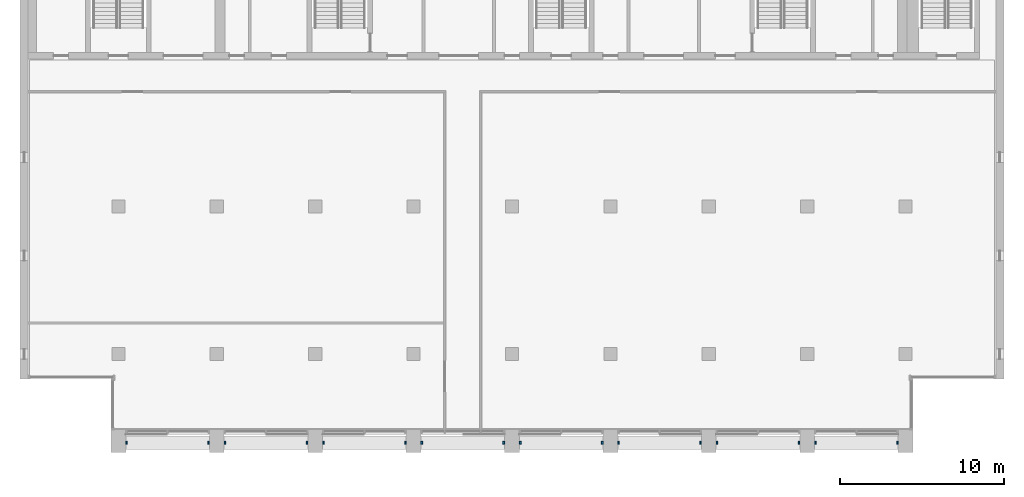
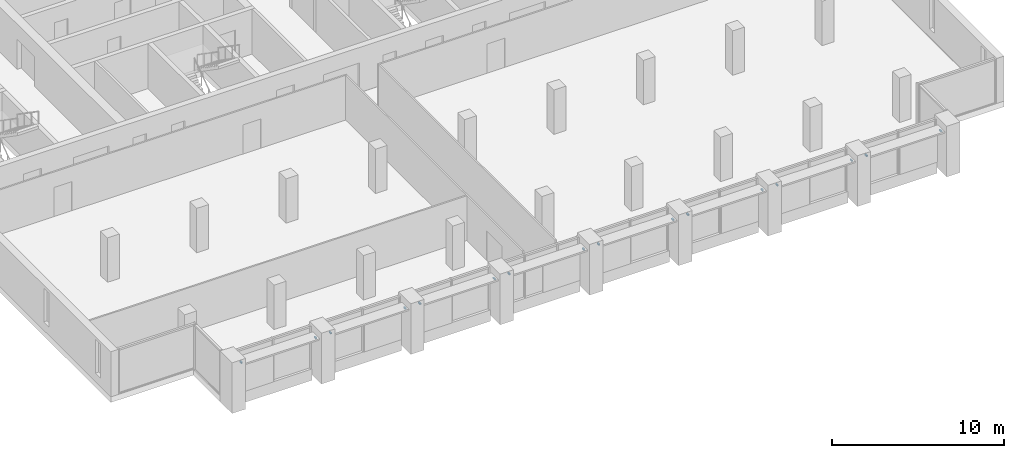
# One storey, part 13 of 14: 16 discrete accessories.
"""IFC4 building model written with IfcOpenShell, lengths in metres."""

from ifc_helpers import new_model, si_unit, direction, frame, origin, origin_2d, place, context, subcontext, project, spatial, rectangle, extrude, element, save


model = new_model("IFC4")

# Units and contexts
model_context = context("Model", 3, precision=1e-05, world=origin(), true_north=direction((0.0, 1.0)))
body_context = subcontext(model_context, "Body", "Model", "MODEL_VIEW")
ifc_project = project(units=[si_unit("LENGTHUNIT", "METRE"), si_unit("AREAUNIT", "SQUARE_METRE"), si_unit("VOLUMEUNIT", "CUBIC_METRE"), si_unit("PLANEANGLEUNIT", "RADIAN"), si_unit("MASSUNIT", "GRAM", prefix="KILO")], contexts=[model_context])

# Site, building, storey
site_placement = place(None, origin())
site = spatial("IfcSite", under=ifc_project, at=site_placement, CompositionType="ELEMENT")
building_placement = place(site_placement, origin())
building = spatial("IfcBuilding", under=site, at=building_placement, Name="Calvaro Tower", CompositionType="ELEMENT")
storey_placement = place(building_placement, frame((0.0, 0.0, 262.14990234375)))
storey = spatial("IfcBuildingStorey", under=building, at=storey_placement, Name="L66", CompositionType="ELEMENT", Elevation=262.14990234375)

# Discrete accessories
for number, where, z_axis, x_axis, name in (
    (1, (12.5, 4.60009765625, 2.5), (0.0, 0.0, 1.0), (1.0, 0.0, 0.0), "Brise-soleil bracket"),
    (2, (17.5, 4.60009765625, 2.5), (0.0, 0.0, 1.0), (1.0, 0.0, 0.0), "Brise-soleil bracket"),
    (3, (18.5, 4.60009765625, 2.5), (0.0, 0.0, 1.0), (1.0, 0.0, 0.0), "Brise-soleil bracket"),
    (4, (23.5, 4.60009765625, 2.5), (0.0, 0.0, 1.0), (1.0, 0.0, 0.0), "Brise-soleil bracket"),
    (5, (24.5, 4.60009765625, 2.5), (0.0, 0.0, 1.0), (1.0, 0.0, 0.0), "Brise-soleil bracket"),
    (6, (29.5, 4.60009765625, 2.5), (0.0, 0.0, 1.0), (1.0, 0.0, 0.0), "Brise-soleil bracket"),
    (7, (30.5, 4.60009765625, 2.5), (0.0, 0.0, 1.0), (1.0, 0.0, 0.0), "Brise-soleil bracket"),
    (8, (35.5, 4.60009765625, 2.5), (0.0, 0.0, 1.0), (1.0, 0.0, 0.0), "Brise-soleil bracket"),
    (9, (36.5, 4.60009765625, 2.5), (0.0, 0.0, 1.0), (1.0, 0.0, 0.0), "Brise-soleil bracket"),
    (10, (41.5, 4.60009765625, 2.5), (0.0, 0.0, 1.0), (1.0, 0.0, 0.0), "Brise-soleil bracket"),
    (11, (42.5, 4.60009765625, 2.5), (0.0, 0.0, 1.0), (1.0, 0.0, 0.0), "Brise-soleil bracket"),
    (12, (47.5, 4.60009765625, 2.5), (0.0, 0.0, 1.0), (1.0, 0.0, 0.0), "Brise-soleil bracket"),
    (13, (48.5, 4.60009765625, 2.5), (0.0, 0.0, 1.0), (1.0, 0.0, 0.0), "Brise-soleil bracket"),
    (14, (53.5, 4.60009765625, 2.5), (0.0, 0.0, 1.0), (1.0, 0.0, 0.0), "Brise-soleil bracket"),
    (15, (54.5, 4.60009765625, 2.5), (0.0, 0.0, 1.0), (1.0, 0.0, 0.0), "Brise-soleil bracket"),
    (16, (59.5, 4.60009765625, 2.5), (0.0, 0.0, 1.0), (1.0, 0.0, 0.0), "Brise-soleil bracket"),
):
    element("IfcDiscreteAccessory", number, at=place(storey_placement, frame(where, z_axis=z_axis, x_axis=x_axis)), inside=storey, Name=name, PredefinedType="BRACKET", context=body_context, shape_type="SweptSolid", body=[
        extrude(rectangle(XDim=0.10009765625, YDim=0.199951171875, at=origin_2d()), origin(), (0.0, 0.0, 1.0), 0.10009765625),
    ])

save(model, "model.ifc")
